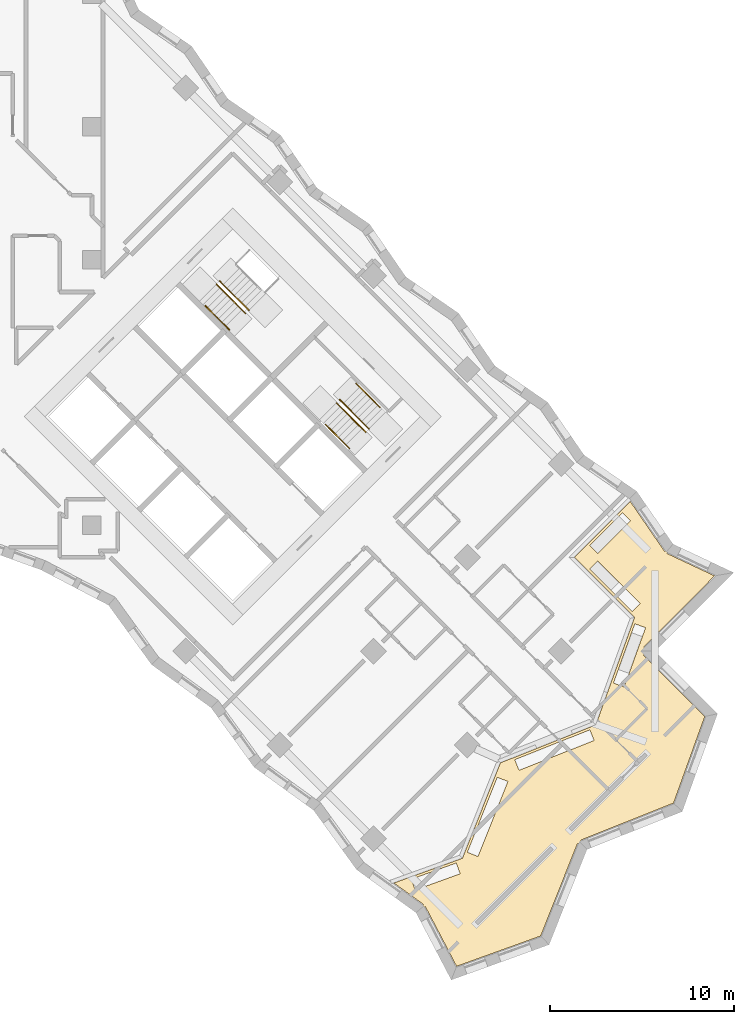
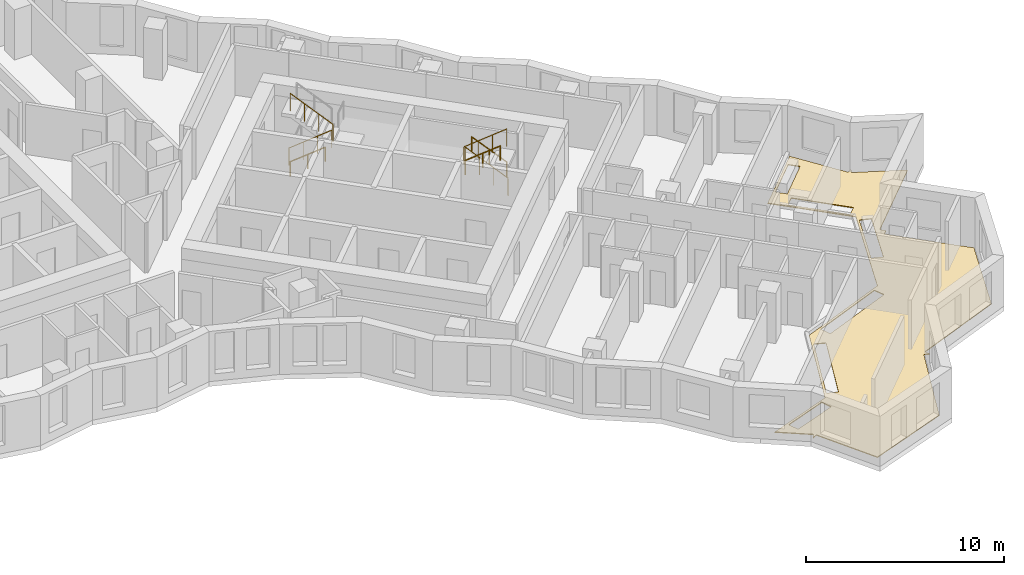
# One storey, part 13 of 14: 7 railings, 1 covering.
"""IFC4 building model written with IfcOpenShell, lengths in metres."""

from ifc_helpers import new_model, si_unit, direction, frame, origin, origin_2d, place, context, subcontext, project, spatial, polyline, circle, outline, extrude, material, layer, layer_set, type_object, element, save


model = new_model("IFC4")

# Units and contexts
model_context = context("Model", 3, precision=1e-05, world=origin(), true_north=direction((0.0, 1.0)))
body_context = subcontext(model_context, "Body", "Model", "MODEL_VIEW")
ifc_project = project(units=[si_unit("LENGTHUNIT", "METRE"), si_unit("AREAUNIT", "SQUARE_METRE"), si_unit("VOLUMEUNIT", "CUBIC_METRE"), si_unit("PLANEANGLEUNIT", "RADIAN"), si_unit("MASSUNIT", "GRAM", prefix="KILO")], contexts=[model_context])

# Site, building, storey
site_placement = place(None, origin())
site = spatial("IfcSite", under=ifc_project, at=site_placement, CompositionType="ELEMENT")
building_placement = place(site_placement, origin())
building = spatial("IfcBuilding", under=site, at=building_placement, Name="Windrow Commons", CompositionType="ELEMENT")
storey_placement = place(building_placement, frame((0.0, 0.0, 118.6)))
storey = spatial("IfcBuildingStorey", under=building, at=storey_placement, Name="L32", CompositionType="ELEMENT", Elevation=118.6)

# Railings
ifc_material_1 = material(Name="Steel S355", Category="steel")
railing_type_1 = type_object("IfcRailingType", Name="Core stair guard 1100", PredefinedType="GUARDRAIL", material=ifc_material_1)
railing_1_placement = place(storey_placement, frame((85.9529, 56.2669, 0.1889)))
element("IfcRailing", 1, at=railing_1_placement, inside=storey, type_object=railing_type_1, Name="L32 ST-B1 stair guard 1", PredefinedType="GUARDRAIL", context=body_context, shape_type="SweptSolid", body=[
    extrude(circle(Radius=0.024, at=origin_2d()), frame((0.0, 0.0, 1.076), z_axis=(0.5861914914, -0.5861914914, 0.5592486664), x_axis=(0.7071067812, 0.7071067812, 0.0)), (0.0, 0.0, 1.0), 2.702),
    extrude(circle(Radius=0.021, at=origin_2d()), origin(), (0.0, 0.0, 1.0), 1.052),
    extrude(circle(Radius=0.021, at=origin_2d()), frame((0.528, -0.528, 0.5037)), (0.0, 0.0, 1.0), 1.052),
    extrude(circle(Radius=0.021, at=origin_2d()), frame((1.0559, -1.0559, 1.0074)), (0.0, 0.0, 1.0), 1.052),
    extrude(circle(Radius=0.021, at=origin_2d()), frame((1.5839, -1.5839, 1.5111)), (0.0, 0.0, 1.0), 1.052),
])
railing_2_placement = place(storey_placement, frame((87.7136, 54.8597, 1.8889)))
element("IfcRailing", 2, at=railing_2_placement, inside=storey, type_object=railing_type_1, Name="L32 ST-B1 stair guard 2", PredefinedType="GUARDRAIL", context=body_context, shape_type="SweptSolid", body=[
    extrude(circle(Radius=0.024, at=origin_2d()), frame((0.0, 0.0, 1.076), z_axis=(-0.5862030657, 0.5862030657, 0.5592244018), x_axis=(-0.7071067812, -0.7071067812, 0.0)), (0.0, 0.0, 1.0), 2.7021),
    extrude(circle(Radius=0.021, at=origin_2d()), origin(), (0.0, 0.0, 1.0), 1.052),
    extrude(circle(Radius=0.021, at=origin_2d()), frame((-0.528, 0.528, 0.5037)), (0.0, 0.0, 1.0), 1.052),
    extrude(circle(Radius=0.021, at=origin_2d()), frame((-1.056, 1.056, 1.0074)), (0.0, 0.0, 1.0), 1.052),
    extrude(circle(Radius=0.021, at=origin_2d()), frame((-1.584, 1.584, 1.5111)), (0.0, 0.0, 1.0), 1.052),
])
railing_3_placement = place(storey_placement, frame((94.2296, 48.4215, 0.1889)))
element("IfcRailing", 3, at=railing_3_placement, inside=storey, type_object=railing_type_1, Name="L32 ST-B2 stair guard 1", PredefinedType="GUARDRAIL", context=body_context, shape_type="SweptSolid", body=[
    extrude(circle(Radius=0.024, at=origin_2d()), frame((0.0, 0.0, 1.076), z_axis=(-0.5862157828, 0.5861787742, 0.5592365337), x_axis=(-0.7070844598, -0.7071291018, 0.0)), (0.0, 0.0, 1.0), 2.7021),
    extrude(circle(Radius=0.021, at=origin_2d()), origin(), (0.0, 0.0, 1.0), 1.052),
    extrude(circle(Radius=0.021, at=origin_2d()), frame((-0.528, 0.528, 0.5037)), (0.0, 0.0, 1.0), 1.052),
    extrude(circle(Radius=0.021, at=origin_2d()), frame((-1.056, 1.0559, 1.0074)), (0.0, 0.0, 1.0), 1.052),
    extrude(circle(Radius=0.021, at=origin_2d()), frame((-1.584, 1.5839, 1.5111)), (0.0, 0.0, 1.0), 1.052),
])
railing_4_placement = place(storey_placement, frame((92.4689, 49.8287, 1.8889)))
element("IfcRailing", 4, at=railing_4_placement, inside=storey, type_object=railing_type_1, Name="L32 ST-B2 stair guard 2", PredefinedType="GUARDRAIL", context=body_context, shape_type="SweptSolid", body=[
    extrude(circle(Radius=0.024, at=origin_2d()), frame((0.0, 0.0, 1.076), z_axis=(0.5861787742, -0.5862157828, 0.5592365337), x_axis=(0.7071291018, 0.7070844598, 0.0)), (0.0, 0.0, 1.0), 2.7021),
    extrude(circle(Radius=0.021, at=origin_2d()), origin(), (0.0, 0.0, 1.0), 1.052),
    extrude(circle(Radius=0.021, at=origin_2d()), frame((0.528, -0.528, 0.5037)), (0.0, 0.0, 1.0), 1.052),
    extrude(circle(Radius=0.021, at=origin_2d()), frame((1.0559, -1.056, 1.0074)), (0.0, 0.0, 1.0), 1.052),
    extrude(circle(Radius=0.021, at=origin_2d()), frame((1.5839, -1.584, 1.5111)), (0.0, 0.0, 1.0), 1.052),
])
ifc_material_2 = material(Name="Steel S355", Category="steel")
railing_type_2 = type_object("IfcRailingType", Name="Core stair handrail 900", PredefinedType="HANDRAIL", material=ifc_material_2)
railing_5_placement = place(storey_placement, frame((85.3518, 55.1001, 0.4587)))
element("IfcRailing", 5, at=railing_5_placement, inside=storey, type_object=railing_type_2, Name="L32 ST-B1 stair handrail 1", PredefinedType="HANDRAIL", context=body_context, shape_type="SweptSolid", body=[
    extrude(circle(Radius=0.024, at=origin_2d()), frame((0.0, 0.0, 0.876), z_axis=(0.586206706, -0.5861616513, 0.5592639952), x_axis=(0.7070796062, 0.7071339551, 0.0)), (0.0, 0.0, 1.0), 2.2195),
    extrude(circle(Radius=0.021, at=origin_2d()), origin(), (0.0, 0.0, 1.0), 0.852),
    extrude(circle(Radius=0.021, at=origin_2d()), frame((0.6506, -0.6505, 0.6206)), (0.0, 0.0, 1.0), 0.852),
    extrude(circle(Radius=0.021, at=origin_2d()), frame((1.3011, -1.301, 1.2413)), (0.0, 0.0, 1.0), 0.852),
])
railing_6_placement = place(storey_placement, frame((94.8306, 49.5883, 0.4587)))
element("IfcRailing", 6, at=railing_6_placement, inside=storey, type_object=railing_type_2, Name="L32 ST-B2 stair handrail 1", PredefinedType="HANDRAIL", context=body_context, shape_type="SweptSolid", body=[
    extrude(circle(Radius=0.024, at=origin_2d()), frame((0.0, 0.0, 0.876), z_axis=(-0.586206706, 0.5861616513, 0.5592639952), x_axis=(-0.7070796062, -0.7071339551, 0.0)), (0.0, 0.0, 1.0), 2.2195),
    extrude(circle(Radius=0.021, at=origin_2d()), origin(), (0.0, 0.0, 1.0), 0.852),
    extrude(circle(Radius=0.021, at=origin_2d()), frame((-0.6506, 0.6505, 0.6206)), (0.0, 0.0, 1.0), 0.852),
    extrude(circle(Radius=0.021, at=origin_2d()), frame((-1.3011, 1.301, 1.2413)), (0.0, 0.0, 1.0), 0.852),
])
railing_7_placement = place(storey_placement, frame((91.8678, 48.6619, 2.1587)))
element("IfcRailing", 7, at=railing_7_placement, inside=storey, type_object=railing_type_2, Name="L32 ST-B2 stair handrail 2", PredefinedType="HANDRAIL", context=body_context, shape_type="SweptSolid", body=[
    extrude(circle(Radius=0.024, at=origin_2d()), frame((0.0, 0.0, 0.876), z_axis=(0.586206706, -0.5861616513, 0.5592639952), x_axis=(0.7070796062, 0.7071339551, 0.0)), (0.0, 0.0, 1.0), 2.2195),
    extrude(circle(Radius=0.021, at=origin_2d()), origin(), (0.0, 0.0, 1.0), 0.852),
    extrude(circle(Radius=0.021, at=origin_2d()), frame((0.6505, -0.6505, 0.6206)), (0.0, 0.0, 1.0), 0.852),
    extrude(circle(Radius=0.021, at=origin_2d()), frame((1.3011, -1.301, 1.2413)), (0.0, 0.0, 1.0), 0.852),
])

# Covering
ifc_material_3 = material(Name="Granite pavers on waterproofing membrane", Category="masonry")
ifc_layer = layer(ifc_material_3, 0.05)
ifc_layer_set = layer_set([ifc_layer], Name="Terrace roofing 50")
covering_type = type_object("IfcCoveringType", Name="Terrace roofing 50", PredefinedType="ROOFING", material=ifc_layer_set)
covering_placement = place(storey_placement, origin())
element("IfcCovering", 8, at=covering_placement, inside=storey, type_object=covering_type, Name="Terrace roofing TR-L32-1", PredefinedType="ROOFING", context=body_context, shape_type="SweptSolid", body=[
    extrude(outline(polyline([(106.5374, 32.3613), (107.1681, 34.1101), (108.6396, 38.1905), (105.3771, 41.453), (108.4064, 44.4822), (110.2743, 41.7692), (110.542, 41.9535), (110.4036, 41.6594), (112.9828, 40.4462), (109.1283, 36.5916), (109.3581, 36.3618), (109.1283, 36.132), (112.4474, 32.8128), (110.7538, 28.1167), (105.7276, 26.1169), (105.8477, 25.8149), (105.5457, 25.9351), (103.5459, 20.9088), (98.9838, 19.2635), (97.2856, 22.5076), (96.9976, 22.3568), (97.1882, 22.6201), (95.5809, 23.7835), (99.3014, 25.1253), (101.361, 30.3017), (106.5374, 32.3613)]), holes=[polyline([(98.9674, 24.8667), (96.5284, 23.9871), (96.7387, 23.4038), (99.1777, 24.2834), (98.9674, 24.8667)]), polyline([(101.1899, 29.5201), (99.5708, 25.4507), (100.1468, 25.2215), (101.7659, 29.2909), (101.1899, 29.5201)]), polyline([(106.212, 32.0919), (102.1426, 30.4728), (102.3718, 29.8968), (106.4412, 31.5159), (106.212, 32.0919)]), polyline([(109.2364, 37.6345), (108.6531, 37.8448), (107.4939, 34.6304), (108.0772, 34.4201), (109.2364, 37.6345)]), polyline([(106.2044, 40.8095), (108.5048, 38.5092), (108.9432, 38.9476), (106.6428, 41.2479), (106.2044, 40.8095)]), polyline([(107.9807, 43.8727), (106.2044, 42.0965), (106.6428, 41.658), (108.4191, 43.4342), (107.9807, 43.8727)])]), origin(), (0.0, 0.0, 1.0), 0.05),
])

save(model, "model.ifc")
